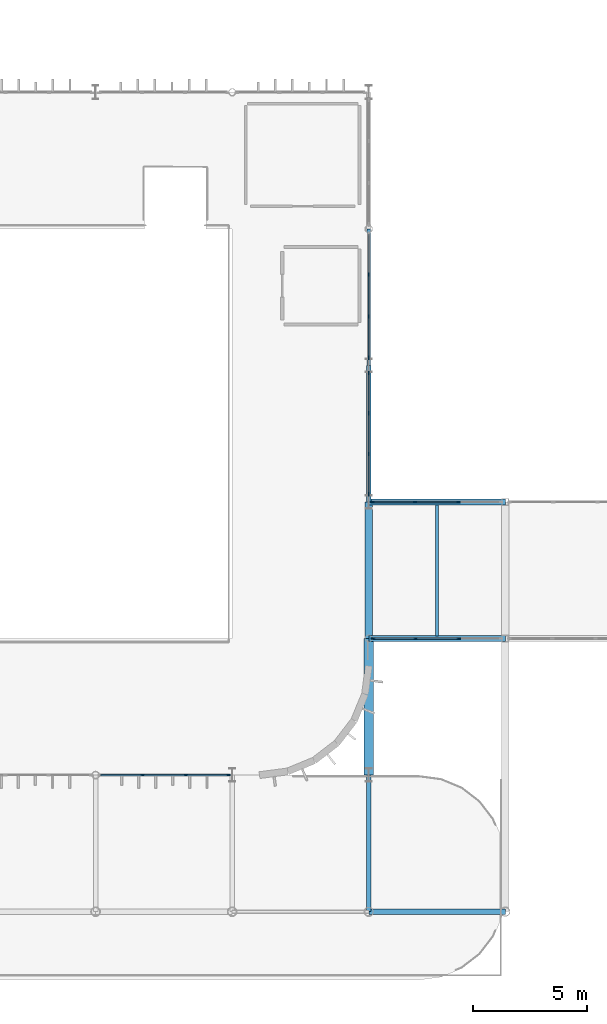
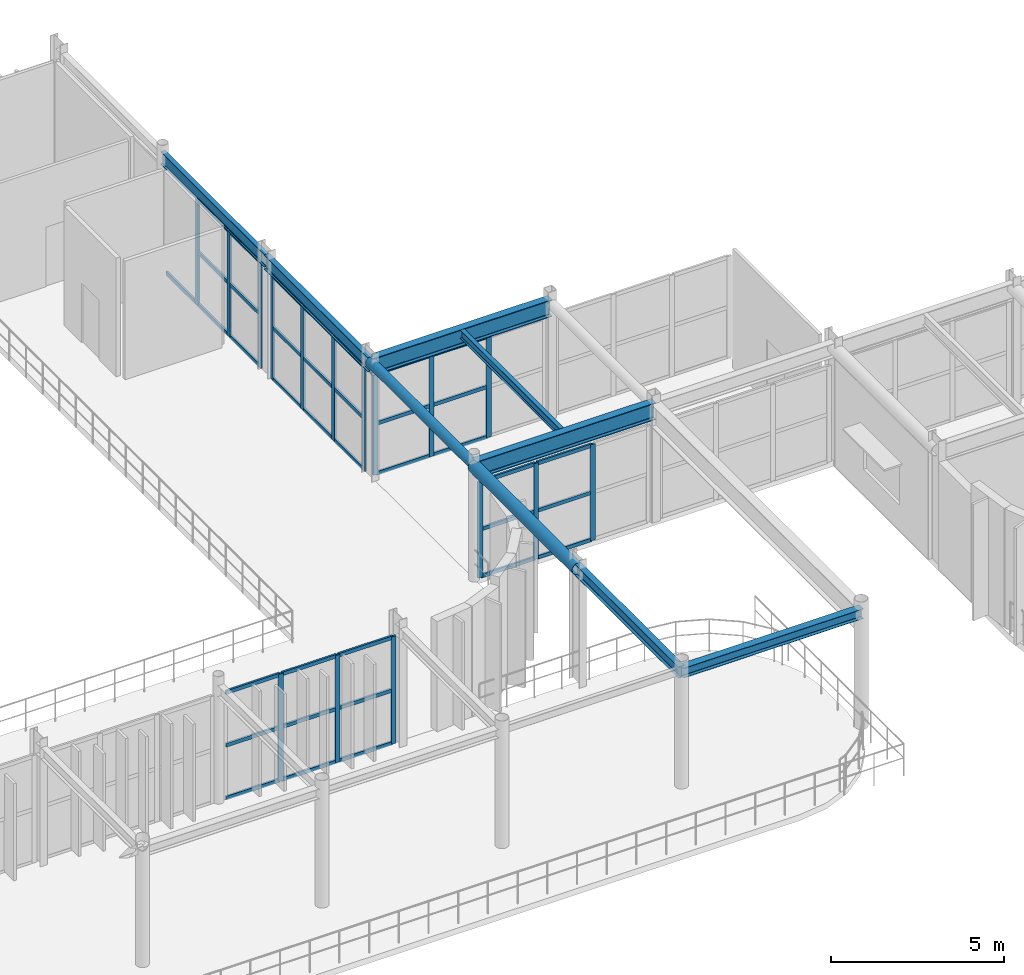
# One storey, part 36 of 96: 53 members, 9 beams, 5 elements without a shape of their own.
"""IFC4 building model written with IfcOpenShell, lengths in metres."""

from ifc_helpers import new_model, si_unit, direction, frame, origin, origin_2d, place, context, subcontext, project, spatial, rectangle, hollow_circle, i_section, extrude, material, material_profile, profile_set, type_object, element, aggregate, save


model = new_model("IFC4")

# Units and contexts
model_context = context("Model", 3, precision=1e-05, world=origin(), true_north=direction((0.0, 1.0)))
body_context = subcontext(model_context, "Body", "Model", "MODEL_VIEW")
ifc_project = project(units=[si_unit("LENGTHUNIT", "METRE"), si_unit("AREAUNIT", "SQUARE_METRE"), si_unit("VOLUMEUNIT", "CUBIC_METRE"), si_unit("PLANEANGLEUNIT", "RADIAN"), si_unit("MASSUNIT", "GRAM", prefix="KILO")], contexts=[model_context])

# Site, building, storey
site_placement = place(None, origin())
site = spatial("IfcSite", under=ifc_project, at=site_placement, CompositionType="ELEMENT")
building_placement = place(site_placement, origin())
building = spatial("IfcBuilding", under=site, at=building_placement, Name="Varnakota Square Police Headquarters", CompositionType="ELEMENT")
storey_placement = place(building_placement, frame((0.0, 0.0, 4.800048828125)))
storey = spatial("IfcBuildingStorey", under=building, at=storey_placement, Name="L01", CompositionType="ELEMENT", Elevation=4.800048828125)

# Beams
ifc_material_1 = material(Name="Steel IS 2062 Grade 350", Category="steel")
ifc_material_profile_1 = material_profile(ifc_material_1, hollow_circle(Radius=0.161865234375, WallThickness=0.0126953125, at=origin_2d()), Name="CHS 323.9x12.7")
ifc_profile_set_1 = profile_set([ifc_material_profile_1], Name="Steel IS 2062 Grade 350")
beam_type_1 = type_object("IfcBeamType", Name="BM-ARC-CHS324", PredefinedType="BEAM", material=ifc_profile_set_1)
beam_1_placement = place(storey_placement, frame((96.0, 15.0, 4.0380859375), z_axis=(0.0, 1.0, 0.0), x_axis=(-1.0, 0.0, 0.0)))
element("IfcBeam", 1, at=beam_1_placement, inside=storey, type_object=beam_type_1, Name="BMG-L01-1670", PredefinedType="BEAM", context=body_context, shape_type="SweptSolid", body=[
    extrude(hollow_circle(Radius=0.161865234375, WallThickness=0.0126953125, at=origin_2d()), origin(), (0.0, 0.0, 1.0), 6.0),
])
ifc_material_profile_2 = material_profile(ifc_material_1, hollow_circle(Radius=0.203125, WallThickness=0.01611328125, at=origin_2d()), Name="CHS 406.4x16.0")
ifc_profile_set_2 = profile_set([ifc_material_profile_2], Name="Steel IS 2062 Grade 350")
beam_type_2 = type_object("IfcBeamType", Name="BM-ARC-CHS406", PredefinedType="BEAM", material=ifc_profile_set_2)
beam_2_placement = place(storey_placement, frame((96.0, 9.0, 3.996826171875), z_axis=(0.0, 1.0, 0.0), x_axis=(-1.0, 0.0, 0.0)))
element("IfcBeam", 2, at=beam_2_placement, inside=storey, type_object=beam_type_2, Name="BMG-L01-1669", PredefinedType="BEAM", context=body_context, shape_type="SweptSolid", body=[
    extrude(hollow_circle(Radius=0.203125, WallThickness=0.01611328125, at=origin_2d()), origin(), (0.0, 0.0, 1.0), 6.0),
])
ifc_material_profile_3 = material_profile(ifc_material_1, i_section(OverallWidth=0.25, OverallDepth=0.35009765625, WebThickness=0.010009765625, FlangeThickness=0.01171875, FilletRadius=0.011962890625, at=origin_2d()), Name="ISHB 350")
ifc_profile_set_3 = profile_set([ifc_material_profile_3], Name="Steel IS 2062 Grade 350")
beam_type_3 = type_object("IfcBeamType", Name="BM-ISHB350", PredefinedType="BEAM", material=ifc_profile_set_3)
beam_3_placement = place(storey_placement, frame((96.0, 3.0, 4.02490234375), z_axis=(1.0, 0.0, 0.0), x_axis=(0.0, 1.0, 0.0)))
element("IfcBeam", 3, at=beam_3_placement, inside=storey, type_object=beam_type_3, Name="BMG-L01-1326", PredefinedType="BEAM", context=body_context, shape_type="SweptSolid", body=[
    extrude(i_section(OverallWidth=0.25, OverallDepth=0.35009765625, WebThickness=0.010009765625, FlangeThickness=0.01171875, FilletRadius=0.011962890625, at=origin_2d()), origin(), (0.0, 0.0, 1.0), 6.0),
])
ifc_material_profile_4 = material_profile(ifc_material_1, i_section(OverallWidth=0.139892578125, OverallDepth=0.300048828125, WebThickness=0.0078125, FlangeThickness=0.01318359375, FilletRadius=0.013916015625, at=origin_2d()), Name="ISMB 300")
ifc_profile_set_4 = profile_set([ifc_material_profile_4], Name="Steel IS 2062 Grade 350")
beam_type_4 = type_object("IfcBeamType", Name="BM-ISMB300", PredefinedType="JOIST", material=ifc_profile_set_4)
beam_4_placement = place(storey_placement, frame((99.0, 15.123046875, 4.050048828125), z_axis=(0.0, 1.0, 0.0), x_axis=(-1.0, 0.0, 0.0)))
element("IfcBeam", 4, at=beam_4_placement, inside=storey, type_object=beam_type_4, Name="BMG-L01-1846", PredefinedType="JOIST", context=body_context, shape_type="SweptSolid", body=[
    extrude(i_section(OverallWidth=0.139892578125, OverallDepth=0.300048828125, WebThickness=0.0078125, FlangeThickness=0.01318359375, FilletRadius=0.013916015625, at=origin_2d()), origin(), (0.0, 0.0, 1.0), 5.75390625),
])
ifc_material_profile_5 = material_profile(ifc_material_1, i_section(OverallWidth=0.14990234375, OverallDepth=0.449951171875, WebThickness=0.009521484375, FlangeThickness=0.017333984375, FilletRadius=0.014892578125, at=origin_2d()), Name="ISMB 450")
ifc_profile_set_5 = profile_set([ifc_material_profile_5], Name="Steel IS 2062 Grade 350")
beam_type_5 = type_object("IfcBeamType", Name="BM-ISMB450", PredefinedType="BEAM", material=ifc_profile_set_5)
beam_5_placement = place(storey_placement, frame((96.0, 27.0, 3.974853515625), z_axis=(0.0, 1.0, 0.0), x_axis=(-1.0, 0.0, 0.0)))
element("IfcBeam", 5, at=beam_5_placement, inside=storey, type_object=beam_type_5, Name="BMG-L01-1672", PredefinedType="BEAM", context=body_context, shape_type="SweptSolid", body=[
    extrude(i_section(OverallWidth=0.14990234375, OverallDepth=0.449951171875, WebThickness=0.009521484375, FlangeThickness=0.017333984375, FilletRadius=0.014892578125, at=origin_2d()), origin(), (0.0, 0.0, 1.0), 6.0),
])
ifc_material_profile_6 = material_profile(ifc_material_1, i_section(OverallWidth=0.179931640625, OverallDepth=0.5, WebThickness=0.01025390625, FlangeThickness=0.01708984375, FilletRadius=0.01708984375, at=origin_2d()), Name="ISMB 500")
ifc_profile_set_6 = profile_set([ifc_material_profile_6], Name="Steel IS 2062 Grade 350")
beam_type_6 = type_object("IfcBeamType", Name="BM-ISMB500", PredefinedType="BEAM", material=ifc_profile_set_6)
beam_6_placement = place(storey_placement, frame((96.0, 21.0, 3.949951171875), z_axis=(0.0, 1.0, 0.0), x_axis=(-1.0, 0.0, 0.0)))
element("IfcBeam", 6, at=beam_6_placement, inside=storey, type_object=beam_type_6, Name="BMG-L01-1671", PredefinedType="BEAM", context=body_context, shape_type="SweptSolid", body=[
    extrude(i_section(OverallWidth=0.179931640625, OverallDepth=0.5, WebThickness=0.01025390625, FlangeThickness=0.01708984375, FilletRadius=0.01708984375, at=origin_2d()), origin(), (0.0, 0.0, 1.0), 6.0),
])
ifc_material_profile_7 = material_profile(ifc_material_1, i_section(OverallWidth=0.199951171875, OverallDepth=0.39990234375, WebThickness=0.008544921875, FlangeThickness=0.012939453125, FilletRadius=0.012939453125, at=origin_2d()), Name="ISWB 400")
ifc_profile_set_7 = profile_set([ifc_material_profile_7], Name="Steel IS 2062 Grade 350")
beam_type_7 = type_object("IfcBeamType", Name="BM-ISWB400", PredefinedType="BEAM", material=ifc_profile_set_7)
beam_7_placement = place(storey_placement, frame((96.0, 3.0, 4.0), z_axis=(0.0, 1.0, 0.0), x_axis=(-1.0, 0.0, 0.0)))
element("IfcBeam", 7, at=beam_7_placement, inside=storey, type_object=beam_type_7, Name="BMG-L01-1668", PredefinedType="BEAM", context=body_context, shape_type="SweptSolid", body=[
    extrude(i_section(OverallWidth=0.199951171875, OverallDepth=0.39990234375, WebThickness=0.008544921875, FlangeThickness=0.012939453125, FilletRadius=0.012939453125, at=origin_2d()), origin(), (0.0, 0.0, 1.0), 6.0),
])
ifc_material_profile_8 = material_profile(ifc_material_1, i_section(OverallWidth=0.25, OverallDepth=0.60009765625, WebThickness=0.01171875, FlangeThickness=0.023681640625, FilletRadius=0.01708984375, at=origin_2d()), Name="ISWB 600")
ifc_profile_set_8 = profile_set([ifc_material_profile_8], Name="Steel IS 2062 Grade 350")
beam_type_8 = type_object("IfcBeamType", Name="BM-ISWB600", PredefinedType="BEAM", material=ifc_profile_set_8)
for number, where, z_axis, x_axis, name in (
    (8, (96.0, 15.0, 3.89990234375), (1.0, 0.0, 0.0), (0.0, 1.0, 0.0), "BMG-L01-1344"),
    (9, (96.0, 21.0, 3.89990234375), (1.0, 0.0, 0.0), (0.0, 1.0, 0.0), "BMG-L01-1360"),
):
    element("IfcBeam", number, at=place(storey_placement, frame(where, z_axis=z_axis, x_axis=x_axis)), inside=storey, type_object=beam_type_8, Name=name, PredefinedType="BEAM", context=body_context, shape_type="SweptSolid", body=[
        extrude(i_section(OverallWidth=0.25, OverallDepth=0.60009765625, WebThickness=0.01171875, FlangeThickness=0.023681640625, FilletRadius=0.01708984375, at=origin_2d()), origin(), (0.0, 0.0, 1.0), 6.0),
    ])

# Curtain wall, members
ifc_material_2 = material(Name="Anodised Aluminium Framing", Category="aluminium")
curtain_wall_type_1 = type_object("IfcCurtainWallType", Name="CW-SYS-B", PredefinedType="NOTDEFINED", material=ifc_material_2)
curtain_wall_1_placement = place(storey_placement, origin())
curtain_wall_1 = element("IfcCurtainWall", 10, at=curtain_wall_1_placement, inside=storey, type_object=curtain_wall_type_1, Name="Unitised curtain wall CWG-L01-020", PredefinedType="NOTDEFINED")
ifc_material_3 = material(Name="Anodised Aluminium 6063-T6", Category="aluminium")
ifc_material_profile_9 = material_profile(ifc_material_3, rectangle(XDim=0.06494140625, YDim=0.159912109375, at=origin_2d()), Name="ALU MULLION 65x160")
ifc_profile_set_9 = profile_set([ifc_material_profile_9], Name="Anodised Aluminium 6063-T6")
member_type_1 = type_object("IfcMemberType", Name="CWM-150", PredefinedType="MULLION", material=ifc_profile_set_9)
member_1_placement = place(storey_placement, frame((86.06787109375, 9.0, 0.0), z_axis=(0.0, 0.0, 1.0), x_axis=(0.0, 1.0, 0.0)))
member_1 = element("IfcMember", 11, at=member_1_placement, type_object=member_type_1, Name="CWG-L01-020 mullion 2", PredefinedType="MULLION", context=body_context, shape_type="SweptSolid", body=[
    extrude(rectangle(XDim=0.06494140625, YDim=0.159912109375, at=origin_2d()), origin(), (0.0, 0.0, 1.0), 3.7900390625),
])
member_2_placement = place(storey_placement, frame((87.968994140625, 9.0, 0.0), z_axis=(0.0, 0.0, 1.0), x_axis=(0.0, 1.0, 0.0)))
member_2 = element("IfcMember", 12, at=member_2_placement, type_object=member_type_1, Name="CWG-L01-020 mullion 3", PredefinedType="MULLION", context=body_context, shape_type="SweptSolid", body=[
    extrude(rectangle(XDim=0.06494140625, YDim=0.159912109375, at=origin_2d()), origin(), (0.0, 0.0, 1.0), 3.7900390625),
])
member_3_placement = place(storey_placement, frame((89.83740234375, 9.0, 0.0), z_axis=(0.0, 0.0, 1.0), x_axis=(0.0, 1.0, 0.0)))
member_3 = element("IfcMember", 13, at=member_3_placement, type_object=member_type_1, Name="CWG-L01-020 mullion 4", PredefinedType="MULLION", context=body_context, shape_type="SweptSolid", body=[
    extrude(rectangle(XDim=0.06494140625, YDim=0.159912109375, at=origin_2d()), origin(), (0.0, 0.0, 1.0), 3.7900390625),
])

curtain_wall_2_placement = place(storey_placement, origin())
curtain_wall_2 = element("IfcCurtainWall", 14, at=curtain_wall_2_placement, inside=storey, type_object=curtain_wall_type_1, Name="Unitised curtain wall CWG-L01-030", PredefinedType="NOTDEFINED")
member_4_placement = place(storey_placement, frame((96.0, 21.33740234375, 0.0), z_axis=(0.0, 0.0, 1.0), x_axis=(-1.0, 0.0, 0.0)))
member_4 = element("IfcMember", 15, at=member_4_placement, type_object=member_type_1, Name="CWG-L01-030 mullion 1", PredefinedType="MULLION", context=body_context, shape_type="SweptSolid", body=[
    extrude(rectangle(XDim=0.06494140625, YDim=0.159912109375, at=origin_2d()), origin(), (0.0, 0.0, 1.0), 3.68994140625),
])
member_5_placement = place(storey_placement, frame((96.0, 23.1015625, 0.0), z_axis=(0.0, 0.0, 1.0), x_axis=(-1.0, 0.0, 0.0)))
member_5 = element("IfcMember", 16, at=member_5_placement, type_object=member_type_1, Name="CWG-L01-030 mullion 2", PredefinedType="MULLION", context=body_context, shape_type="SweptSolid", body=[
    extrude(rectangle(XDim=0.06494140625, YDim=0.159912109375, at=origin_2d()), origin(), (0.0, 0.0, 1.0), 3.68994140625),
])
member_6_placement = place(storey_placement, frame((96.0, 24.8984375, 0.0), z_axis=(0.0, 0.0, 1.0), x_axis=(-1.0, 0.0, 0.0)))
member_6 = element("IfcMember", 17, at=member_6_placement, type_object=member_type_1, Name="CWG-L01-030 mullion 3", PredefinedType="MULLION", context=body_context, shape_type="SweptSolid", body=[
    extrude(rectangle(XDim=0.06494140625, YDim=0.159912109375, at=origin_2d()), origin(), (0.0, 0.0, 1.0), 3.68994140625),
])
member_7_placement = place(storey_placement, frame((96.0, 26.66259765625, 0.0), z_axis=(0.0, 0.0, 1.0), x_axis=(-1.0, 0.0, 0.0)))
member_7 = element("IfcMember", 18, at=member_7_placement, type_object=member_type_1, Name="CWG-L01-030 mullion 4", PredefinedType="MULLION", context=body_context, shape_type="SweptSolid", body=[
    extrude(rectangle(XDim=0.06494140625, YDim=0.159912109375, at=origin_2d()), origin(), (0.0, 0.0, 1.0), 3.68994140625),
])

curtain_wall_3_placement = place(storey_placement, origin())
curtain_wall_3 = element("IfcCurtainWall", 19, at=curtain_wall_3_placement, inside=storey, type_object=curtain_wall_type_1, Name="Unitised curtain wall CWG-L01-032", PredefinedType="NOTDEFINED")
member_8_placement = place(storey_placement, frame((96.0, 27.33740234375, 0.0), z_axis=(0.0, 0.0, 1.0), x_axis=(-1.0, 0.0, 0.0)))
member_8 = element("IfcMember", 20, at=member_8_placement, type_object=member_type_1, Name="CWG-L01-032 mullion 1", PredefinedType="MULLION", context=body_context, shape_type="SweptSolid", body=[
    extrude(rectangle(XDim=0.06494140625, YDim=0.159912109375, at=origin_2d()), origin(), (0.0, 0.0, 1.0), 3.739990234375),
])
member_9_placement = place(storey_placement, frame((96.0, 29.147705078125, 0.0), z_axis=(0.0, 0.0, 1.0), x_axis=(-1.0, 0.0, 0.0)))
member_9 = element("IfcMember", 21, at=member_9_placement, type_object=member_type_1, Name="CWG-L01-032 mullion 2", PredefinedType="MULLION", context=body_context, shape_type="SweptSolid", body=[
    extrude(rectangle(XDim=0.06494140625, YDim=0.159912109375, at=origin_2d()), origin(), (0.0, 0.0, 1.0), 3.739990234375),
])
member_10_placement = place(storey_placement, frame((96.0, 30.990478515625, 0.0), z_axis=(0.0, 0.0, 1.0), x_axis=(-1.0, 0.0, 0.0)))
member_10 = element("IfcMember", 22, at=member_10_placement, type_object=member_type_1, Name="CWG-L01-032 mullion 3", PredefinedType="MULLION", context=body_context, shape_type="SweptSolid", body=[
    extrude(rectangle(XDim=0.06494140625, YDim=0.159912109375, at=origin_2d()), origin(), (0.0, 0.0, 1.0), 3.739990234375),
])

curtain_wall_type_2 = type_object("IfcCurtainWallType", Name="CW-SYS-E", PredefinedType="NOTDEFINED", material=ifc_material_2)
curtain_wall_4_placement = place(storey_placement, origin())
curtain_wall_4 = element("IfcCurtainWall", 23, at=curtain_wall_4_placement, inside=storey, type_object=curtain_wall_type_2, Name="Unitised curtain wall CWG-L01-216", PredefinedType="NOTDEFINED")
member_11_placement = place(storey_placement, frame((96.199462890625, 15.0, 0.0), z_axis=(0.0, 0.0, 1.0), x_axis=(0.0, 1.0, 0.0)))
member_11 = element("IfcMember", 24, at=member_11_placement, type_object=member_type_1, Name="CWG-L01-216 mullion 1", PredefinedType="MULLION", context=body_context, shape_type="SweptSolid", body=[
    extrude(rectangle(XDim=0.06494140625, YDim=0.159912109375, at=origin_2d()), origin(), (0.0, 0.0, 1.0), 3.389892578125),
])
member_12_placement = place(storey_placement, frame((98.0595703125, 15.0, 0.0), z_axis=(0.0, 0.0, 1.0), x_axis=(0.0, 1.0, 0.0)))
member_12 = element("IfcMember", 25, at=member_12_placement, type_object=member_type_1, Name="CWG-L01-216 mullion 2", PredefinedType="MULLION", context=body_context, shape_type="SweptSolid", body=[
    extrude(rectangle(XDim=0.06494140625, YDim=0.159912109375, at=origin_2d()), origin(), (0.0, 0.0, 1.0), 3.389892578125),
])
member_13_placement = place(storey_placement, frame((99.952392578125, 15.0, 0.0), z_axis=(0.0, 0.0, 1.0), x_axis=(0.0, 1.0, 0.0)))
member_13 = element("IfcMember", 26, at=member_13_placement, type_object=member_type_1, Name="CWG-L01-216 mullion 3", PredefinedType="MULLION", context=body_context, shape_type="SweptSolid", body=[
    extrude(rectangle(XDim=0.06494140625, YDim=0.159912109375, at=origin_2d()), origin(), (0.0, 0.0, 1.0), 3.389892578125),
])

curtain_wall_5_placement = place(storey_placement, origin())
curtain_wall_5 = element("IfcCurtainWall", 27, at=curtain_wall_5_placement, inside=storey, type_object=curtain_wall_type_2, Name="Unitised curtain wall CWG-L01-217", PredefinedType="NOTDEFINED")
member_14_placement = place(storey_placement, frame((96.16259765625, 21.0, 0.0), z_axis=(0.0, 0.0, 1.0), x_axis=(0.0, 1.0, 0.0)))
member_14 = element("IfcMember", 28, at=member_14_placement, type_object=member_type_1, Name="CWG-L01-217 mullion 1", PredefinedType="MULLION", context=body_context, shape_type="SweptSolid", body=[
    extrude(rectangle(XDim=0.06494140625, YDim=0.159912109375, at=origin_2d()), origin(), (0.0, 0.0, 1.0), 3.58984375),
])
member_15_placement = place(storey_placement, frame((98.034912109375, 21.0, 0.0), z_axis=(0.0, 0.0, 1.0), x_axis=(0.0, 1.0, 0.0)))
member_15 = element("IfcMember", 29, at=member_15_placement, type_object=member_type_1, Name="CWG-L01-217 mullion 2", PredefinedType="MULLION", context=body_context, shape_type="SweptSolid", body=[
    extrude(rectangle(XDim=0.06494140625, YDim=0.159912109375, at=origin_2d()), origin(), (0.0, 0.0, 1.0), 3.58984375),
])
member_16_placement = place(storey_placement, frame((99.93994140625, 21.0, 0.0), z_axis=(0.0, 0.0, 1.0), x_axis=(0.0, 1.0, 0.0)))
member_16 = element("IfcMember", 30, at=member_16_placement, type_object=member_type_1, Name="CWG-L01-217 mullion 3", PredefinedType="MULLION", context=body_context, shape_type="SweptSolid", body=[
    extrude(rectangle(XDim=0.06494140625, YDim=0.159912109375, at=origin_2d()), origin(), (0.0, 0.0, 1.0), 3.58984375),
])

# Member
ifc_material_profile_10 = material_profile(ifc_material_3, rectangle(XDim=0.06494140625, YDim=0.1298828125, at=origin_2d()), Name="ALU TRANSOM 65x130")
ifc_profile_set_10 = profile_set([ifc_material_profile_10], Name="Anodised Aluminium 6063-T6")
member_type_2 = type_object("IfcMemberType", Name="CWT-120", PredefinedType="USERDEFINED", material=ifc_profile_set_10)
member_17_placement = place(storey_placement, frame((84.23193359375, 9.0, 0.032470703125), z_axis=(1.0, 0.0, 0.0), x_axis=(0.0, 1.0, 0.0)))
member_17 = element("IfcMember", 31, at=member_17_placement, type_object=member_type_2, Name="CWG-L01-020 transom 1.1", ObjectType="TRANSOM", PredefinedType="USERDEFINED", context=body_context, shape_type="SweptSolid", body=[
    extrude(rectangle(XDim=0.06494140625, YDim=0.1298828125, at=origin_2d()), origin(), (0.0, 0.0, 1.0), 1.803466796875),
])

member_18_placement = place(storey_placement, frame((84.23193359375, 9.0, 1.89501953125), z_axis=(1.0, 0.0, 0.0), x_axis=(0.0, 1.0, 0.0)))
member_18 = element("IfcMember", 32, at=member_18_placement, type_object=member_type_2, Name="CWG-L01-020 transom 1.2", ObjectType="TRANSOM", PredefinedType="USERDEFINED", context=body_context, shape_type="SweptSolid", body=[
    extrude(rectangle(XDim=0.06494140625, YDim=0.1298828125, at=origin_2d()), origin(), (0.0, 0.0, 1.0), 1.803466796875),
])

member_19_placement = place(storey_placement, frame((84.23193359375, 9.0, 3.757568359375), z_axis=(1.0, 0.0, 0.0), x_axis=(0.0, 1.0, 0.0)))
member_19 = element("IfcMember", 33, at=member_19_placement, type_object=member_type_2, Name="CWG-L01-020 transom 1.3", ObjectType="TRANSOM", PredefinedType="USERDEFINED", context=body_context, shape_type="SweptSolid", body=[
    extrude(rectangle(XDim=0.06494140625, YDim=0.1298828125, at=origin_2d()), origin(), (0.0, 0.0, 1.0), 1.803466796875),
])

member_20_placement = place(storey_placement, frame((86.100341796875, 9.0, 0.032470703125), z_axis=(1.0, 0.0, 0.0), x_axis=(0.0, 1.0, 0.0)))
member_20 = element("IfcMember", 34, at=member_20_placement, type_object=member_type_2, Name="CWG-L01-020 transom 2.1", ObjectType="TRANSOM", PredefinedType="USERDEFINED", context=body_context, shape_type="SweptSolid", body=[
    extrude(rectangle(XDim=0.06494140625, YDim=0.1298828125, at=origin_2d()), origin(), (0.0, 0.0, 1.0), 1.836181640625),
])

member_21_placement = place(storey_placement, frame((86.100341796875, 9.0, 1.89501953125), z_axis=(1.0, 0.0, 0.0), x_axis=(0.0, 1.0, 0.0)))
member_21 = element("IfcMember", 35, at=member_21_placement, type_object=member_type_2, Name="CWG-L01-020 transom 2.2", ObjectType="TRANSOM", PredefinedType="USERDEFINED", context=body_context, shape_type="SweptSolid", body=[
    extrude(rectangle(XDim=0.06494140625, YDim=0.1298828125, at=origin_2d()), origin(), (0.0, 0.0, 1.0), 1.836181640625),
])

member_22_placement = place(storey_placement, frame((86.100341796875, 9.0, 3.757568359375), z_axis=(1.0, 0.0, 0.0), x_axis=(0.0, 1.0, 0.0)))
member_22 = element("IfcMember", 36, at=member_22_placement, type_object=member_type_2, Name="CWG-L01-020 transom 2.3", ObjectType="TRANSOM", PredefinedType="USERDEFINED", context=body_context, shape_type="SweptSolid", body=[
    extrude(rectangle(XDim=0.06494140625, YDim=0.1298828125, at=origin_2d()), origin(), (0.0, 0.0, 1.0), 1.836181640625),
])

member_23_placement = place(storey_placement, frame((88.00146484375, 9.0, 0.032470703125), z_axis=(1.0, 0.0, 0.0), x_axis=(0.0, 1.0, 0.0)))
member_23 = element("IfcMember", 37, at=member_23_placement, type_object=member_type_2, Name="CWG-L01-020 transom 3.1", ObjectType="TRANSOM", PredefinedType="USERDEFINED", context=body_context, shape_type="SweptSolid", body=[
    extrude(rectangle(XDim=0.06494140625, YDim=0.1298828125, at=origin_2d()), origin(), (0.0, 0.0, 1.0), 1.803466796875),
])

member_24_placement = place(storey_placement, frame((88.00146484375, 9.0, 1.89501953125), z_axis=(1.0, 0.0, 0.0), x_axis=(0.0, 1.0, 0.0)))
member_24 = element("IfcMember", 38, at=member_24_placement, type_object=member_type_2, Name="CWG-L01-020 transom 3.2", ObjectType="TRANSOM", PredefinedType="USERDEFINED", context=body_context, shape_type="SweptSolid", body=[
    extrude(rectangle(XDim=0.06494140625, YDim=0.1298828125, at=origin_2d()), origin(), (0.0, 0.0, 1.0), 1.803466796875),
])

member_25_placement = place(storey_placement, frame((88.00146484375, 9.0, 3.757568359375), z_axis=(1.0, 0.0, 0.0), x_axis=(0.0, 1.0, 0.0)))
member_25 = element("IfcMember", 39, at=member_25_placement, type_object=member_type_2, Name="CWG-L01-020 transom 3.3", ObjectType="TRANSOM", PredefinedType="USERDEFINED", context=body_context, shape_type="SweptSolid", body=[
    extrude(rectangle(XDim=0.06494140625, YDim=0.1298828125, at=origin_2d()), origin(), (0.0, 0.0, 1.0), 1.803466796875),
])

aggregate(curtain_wall_1, [member_1, member_2, member_3, member_17, member_18, member_19, member_20, member_21, member_22, member_23, member_24, member_25])

member_26_placement = place(storey_placement, frame((96.0, 21.3701171875, 0.032470703125), z_axis=(0.0, 1.0, 0.0), x_axis=(-1.0, 0.0, 0.0)))
member_26 = element("IfcMember", 40, at=member_26_placement, type_object=member_type_2, Name="CWG-L01-030 transom 1.1", ObjectType="TRANSOM", PredefinedType="USERDEFINED", context=body_context, shape_type="SweptSolid", body=[
    extrude(rectangle(XDim=0.06494140625, YDim=0.1298828125, at=origin_2d()), origin(), (0.0, 0.0, 1.0), 1.698974609375),
])

member_27_placement = place(storey_placement, frame((96.0, 21.3701171875, 1.844970703125), z_axis=(0.0, 1.0, 0.0), x_axis=(-1.0, 0.0, 0.0)))
member_27 = element("IfcMember", 41, at=member_27_placement, type_object=member_type_2, Name="CWG-L01-030 transom 1.2", ObjectType="TRANSOM", PredefinedType="USERDEFINED", context=body_context, shape_type="SweptSolid", body=[
    extrude(rectangle(XDim=0.06494140625, YDim=0.1298828125, at=origin_2d()), origin(), (0.0, 0.0, 1.0), 1.698974609375),
])

member_28_placement = place(storey_placement, frame((96.0, 21.3701171875, 3.657470703125), z_axis=(0.0, 1.0, 0.0), x_axis=(-1.0, 0.0, 0.0)))
member_28 = element("IfcMember", 42, at=member_28_placement, type_object=member_type_2, Name="CWG-L01-030 transom 1.3", ObjectType="TRANSOM", PredefinedType="USERDEFINED", context=body_context, shape_type="SweptSolid", body=[
    extrude(rectangle(XDim=0.06494140625, YDim=0.1298828125, at=origin_2d()), origin(), (0.0, 0.0, 1.0), 1.698974609375),
])

member_29_placement = place(storey_placement, frame((96.0, 23.13427734375, 0.032470703125), z_axis=(0.0, 1.0, 0.0), x_axis=(-1.0, 0.0, 0.0)))
member_29 = element("IfcMember", 43, at=member_29_placement, type_object=member_type_2, Name="CWG-L01-030 transom 2.1", ObjectType="TRANSOM", PredefinedType="USERDEFINED", context=body_context, shape_type="SweptSolid", body=[
    extrude(rectangle(XDim=0.06494140625, YDim=0.1298828125, at=origin_2d()), origin(), (0.0, 0.0, 1.0), 1.7314453125),
])

member_30_placement = place(storey_placement, frame((96.0, 23.13427734375, 1.844970703125), z_axis=(0.0, 1.0, 0.0), x_axis=(-1.0, 0.0, 0.0)))
member_30 = element("IfcMember", 44, at=member_30_placement, type_object=member_type_2, Name="CWG-L01-030 transom 2.2", ObjectType="TRANSOM", PredefinedType="USERDEFINED", context=body_context, shape_type="SweptSolid", body=[
    extrude(rectangle(XDim=0.06494140625, YDim=0.1298828125, at=origin_2d()), origin(), (0.0, 0.0, 1.0), 1.7314453125),
])

member_31_placement = place(storey_placement, frame((96.0, 23.13427734375, 3.657470703125), z_axis=(0.0, 1.0, 0.0), x_axis=(-1.0, 0.0, 0.0)))
member_31 = element("IfcMember", 45, at=member_31_placement, type_object=member_type_2, Name="CWG-L01-030 transom 2.3", ObjectType="TRANSOM", PredefinedType="USERDEFINED", context=body_context, shape_type="SweptSolid", body=[
    extrude(rectangle(XDim=0.06494140625, YDim=0.1298828125, at=origin_2d()), origin(), (0.0, 0.0, 1.0), 1.7314453125),
])

member_32_placement = place(storey_placement, frame((96.0, 24.930908203125, 0.032470703125), z_axis=(0.0, 1.0, 0.0), x_axis=(-1.0, 0.0, 0.0)))
member_32 = element("IfcMember", 46, at=member_32_placement, type_object=member_type_2, Name="CWG-L01-030 transom 3.1", ObjectType="TRANSOM", PredefinedType="USERDEFINED", context=body_context, shape_type="SweptSolid", body=[
    extrude(rectangle(XDim=0.06494140625, YDim=0.1298828125, at=origin_2d()), origin(), (0.0, 0.0, 1.0), 1.698974609375),
])

member_33_placement = place(storey_placement, frame((96.0, 24.930908203125, 1.844970703125), z_axis=(0.0, 1.0, 0.0), x_axis=(-1.0, 0.0, 0.0)))
member_33 = element("IfcMember", 47, at=member_33_placement, type_object=member_type_2, Name="CWG-L01-030 transom 3.2", ObjectType="TRANSOM", PredefinedType="USERDEFINED", context=body_context, shape_type="SweptSolid", body=[
    extrude(rectangle(XDim=0.06494140625, YDim=0.1298828125, at=origin_2d()), origin(), (0.0, 0.0, 1.0), 1.698974609375),
])

member_34_placement = place(storey_placement, frame((96.0, 24.930908203125, 3.657470703125), z_axis=(0.0, 1.0, 0.0), x_axis=(-1.0, 0.0, 0.0)))
member_34 = element("IfcMember", 48, at=member_34_placement, type_object=member_type_2, Name="CWG-L01-030 transom 3.3", ObjectType="TRANSOM", PredefinedType="USERDEFINED", context=body_context, shape_type="SweptSolid", body=[
    extrude(rectangle(XDim=0.06494140625, YDim=0.1298828125, at=origin_2d()), origin(), (0.0, 0.0, 1.0), 1.698974609375),
])

aggregate(curtain_wall_2, [member_4, member_5, member_6, member_7, member_26, member_27, member_28, member_29, member_30, member_31, member_32, member_33, member_34])

member_35_placement = place(storey_placement, frame((96.0, 27.3701171875, 0.032470703125), z_axis=(0.0, 1.0, 0.0), x_axis=(-1.0, 0.0, 0.0)))
member_35 = element("IfcMember", 49, at=member_35_placement, type_object=member_type_2, Name="CWG-L01-032 transom 1.1", ObjectType="TRANSOM", PredefinedType="USERDEFINED", context=body_context, shape_type="SweptSolid", body=[
    extrude(rectangle(XDim=0.06494140625, YDim=0.1298828125, at=origin_2d()), origin(), (0.0, 0.0, 1.0), 1.7451171875),
])

member_36_placement = place(storey_placement, frame((96.0, 27.3701171875, 1.869873046875), z_axis=(0.0, 1.0, 0.0), x_axis=(-1.0, 0.0, 0.0)))
member_36 = element("IfcMember", 50, at=member_36_placement, type_object=member_type_2, Name="CWG-L01-032 transom 1.2", ObjectType="TRANSOM", PredefinedType="USERDEFINED", context=body_context, shape_type="SweptSolid", body=[
    extrude(rectangle(XDim=0.06494140625, YDim=0.1298828125, at=origin_2d()), origin(), (0.0, 0.0, 1.0), 1.7451171875),
])

member_37_placement = place(storey_placement, frame((96.0, 27.3701171875, 3.70751953125), z_axis=(0.0, 1.0, 0.0), x_axis=(-1.0, 0.0, 0.0)))
member_37 = element("IfcMember", 51, at=member_37_placement, type_object=member_type_2, Name="CWG-L01-032 transom 1.3", ObjectType="TRANSOM", PredefinedType="USERDEFINED", context=body_context, shape_type="SweptSolid", body=[
    extrude(rectangle(XDim=0.06494140625, YDim=0.1298828125, at=origin_2d()), origin(), (0.0, 0.0, 1.0), 1.7451171875),
])

member_38_placement = place(storey_placement, frame((96.0, 29.18017578125, 0.032470703125), z_axis=(0.0, 1.0, 0.0), x_axis=(-1.0, 0.0, 0.0)))
member_38 = element("IfcMember", 52, at=member_38_placement, type_object=member_type_2, Name="CWG-L01-032 transom 2.1", ObjectType="TRANSOM", PredefinedType="USERDEFINED", context=body_context, shape_type="SweptSolid", body=[
    extrude(rectangle(XDim=0.06494140625, YDim=0.1298828125, at=origin_2d()), origin(), (0.0, 0.0, 1.0), 1.77783203125),
])

member_39_placement = place(storey_placement, frame((96.0, 29.18017578125, 1.869873046875), z_axis=(0.0, 1.0, 0.0), x_axis=(-1.0, 0.0, 0.0)))
member_39 = element("IfcMember", 53, at=member_39_placement, type_object=member_type_2, Name="CWG-L01-032 transom 2.2", ObjectType="TRANSOM", PredefinedType="USERDEFINED", context=body_context, shape_type="SweptSolid", body=[
    extrude(rectangle(XDim=0.06494140625, YDim=0.1298828125, at=origin_2d()), origin(), (0.0, 0.0, 1.0), 1.77783203125),
])

member_40_placement = place(storey_placement, frame((96.0, 29.18017578125, 3.70751953125), z_axis=(0.0, 1.0, 0.0), x_axis=(-1.0, 0.0, 0.0)))
member_40 = element("IfcMember", 54, at=member_40_placement, type_object=member_type_2, Name="CWG-L01-032 transom 2.3", ObjectType="TRANSOM", PredefinedType="USERDEFINED", context=body_context, shape_type="SweptSolid", body=[
    extrude(rectangle(XDim=0.06494140625, YDim=0.1298828125, at=origin_2d()), origin(), (0.0, 0.0, 1.0), 1.77783203125),
])

member_41_placement = place(storey_placement, frame((96.0, 31.02294921875, 0.032470703125), z_axis=(0.0, 1.0, 0.0), x_axis=(-1.0, 0.0, 0.0)))
member_41 = element("IfcMember", 55, at=member_41_placement, type_object=member_type_2, Name="CWG-L01-032 transom 3.1", ObjectType="TRANSOM", PredefinedType="USERDEFINED", context=body_context, shape_type="SweptSolid", body=[
    extrude(rectangle(XDim=0.06494140625, YDim=0.1298828125, at=origin_2d()), origin(), (0.0, 0.0, 1.0), 1.7451171875),
])

aggregate(curtain_wall_3, [member_8, member_9, member_10, member_35, member_36, member_37, member_38, member_39, member_40, member_41])

member_42_placement = place(storey_placement, frame((96.23193359375, 15.0, 0.032470703125), z_axis=(1.0, 0.0, 0.0), x_axis=(0.0, 1.0, 0.0)))
member_42 = element("IfcMember", 56, at=member_42_placement, type_object=member_type_2, Name="CWG-L01-216 transom 1.1", ObjectType="TRANSOM", PredefinedType="USERDEFINED", context=body_context, shape_type="SweptSolid", body=[
    extrude(rectangle(XDim=0.06494140625, YDim=0.1298828125, at=origin_2d()), origin(), (0.0, 0.0, 1.0), 1.795166015625),
])

member_43_placement = place(storey_placement, frame((96.23193359375, 15.0, 1.695068359375), z_axis=(1.0, 0.0, 0.0), x_axis=(0.0, 1.0, 0.0)))
member_43 = element("IfcMember", 57, at=member_43_placement, type_object=member_type_2, Name="CWG-L01-216 transom 1.2", ObjectType="TRANSOM", PredefinedType="USERDEFINED", context=body_context, shape_type="SweptSolid", body=[
    extrude(rectangle(XDim=0.06494140625, YDim=0.1298828125, at=origin_2d()), origin(), (0.0, 0.0, 1.0), 1.795166015625),
])

member_44_placement = place(storey_placement, frame((96.23193359375, 15.0, 3.357421875), z_axis=(1.0, 0.0, 0.0), x_axis=(0.0, 1.0, 0.0)))
member_44 = element("IfcMember", 58, at=member_44_placement, type_object=member_type_2, Name="CWG-L01-216 transom 1.3", ObjectType="TRANSOM", PredefinedType="USERDEFINED", context=body_context, shape_type="SweptSolid", body=[
    extrude(rectangle(XDim=0.06494140625, YDim=0.1298828125, at=origin_2d()), origin(), (0.0, 0.0, 1.0), 1.795166015625),
])

member_45_placement = place(storey_placement, frame((98.092041015625, 15.0, 0.032470703125), z_axis=(1.0, 0.0, 0.0), x_axis=(0.0, 1.0, 0.0)))
member_45 = element("IfcMember", 59, at=member_45_placement, type_object=member_type_2, Name="CWG-L01-216 transom 2.1", ObjectType="TRANSOM", PredefinedType="USERDEFINED", context=body_context, shape_type="SweptSolid", body=[
    extrude(rectangle(XDim=0.06494140625, YDim=0.1298828125, at=origin_2d()), origin(), (0.0, 0.0, 1.0), 1.827880859375),
])

member_46_placement = place(storey_placement, frame((98.092041015625, 15.0, 1.695068359375), z_axis=(1.0, 0.0, 0.0), x_axis=(0.0, 1.0, 0.0)))
member_46 = element("IfcMember", 60, at=member_46_placement, type_object=member_type_2, Name="CWG-L01-216 transom 2.2", ObjectType="TRANSOM", PredefinedType="USERDEFINED", context=body_context, shape_type="SweptSolid", body=[
    extrude(rectangle(XDim=0.06494140625, YDim=0.1298828125, at=origin_2d()), origin(), (0.0, 0.0, 1.0), 1.827880859375),
])

member_47_placement = place(storey_placement, frame((98.092041015625, 15.0, 3.357421875), z_axis=(1.0, 0.0, 0.0), x_axis=(0.0, 1.0, 0.0)))
member_47 = element("IfcMember", 61, at=member_47_placement, type_object=member_type_2, Name="CWG-L01-216 transom 2.3", ObjectType="TRANSOM", PredefinedType="USERDEFINED", context=body_context, shape_type="SweptSolid", body=[
    extrude(rectangle(XDim=0.06494140625, YDim=0.1298828125, at=origin_2d()), origin(), (0.0, 0.0, 1.0), 1.827880859375),
])

aggregate(curtain_wall_4, [member_11, member_12, member_13, member_42, member_43, member_44, member_45, member_46, member_47])

member_48_placement = place(storey_placement, frame((96.195068359375, 21.0, 0.032470703125), z_axis=(1.0, 0.0, 0.0), x_axis=(0.0, 1.0, 0.0)))
member_48 = element("IfcMember", 62, at=member_48_placement, type_object=member_type_2, Name="CWG-L01-217 transom 1.1", ObjectType="TRANSOM", PredefinedType="USERDEFINED", context=body_context, shape_type="SweptSolid", body=[
    extrude(rectangle(XDim=0.06494140625, YDim=0.1298828125, at=origin_2d()), origin(), (0.0, 0.0, 1.0), 1.807373046875),
])

member_49_placement = place(storey_placement, frame((96.195068359375, 21.0, 1.794921875), z_axis=(1.0, 0.0, 0.0), x_axis=(0.0, 1.0, 0.0)))
member_49 = element("IfcMember", 63, at=member_49_placement, type_object=member_type_2, Name="CWG-L01-217 transom 1.2", ObjectType="TRANSOM", PredefinedType="USERDEFINED", context=body_context, shape_type="SweptSolid", body=[
    extrude(rectangle(XDim=0.06494140625, YDim=0.1298828125, at=origin_2d()), origin(), (0.0, 0.0, 1.0), 1.807373046875),
])

member_50_placement = place(storey_placement, frame((96.195068359375, 21.0, 3.557373046875), z_axis=(1.0, 0.0, 0.0), x_axis=(0.0, 1.0, 0.0)))
member_50 = element("IfcMember", 64, at=member_50_placement, type_object=member_type_2, Name="CWG-L01-217 transom 1.3", ObjectType="TRANSOM", PredefinedType="USERDEFINED", context=body_context, shape_type="SweptSolid", body=[
    extrude(rectangle(XDim=0.06494140625, YDim=0.1298828125, at=origin_2d()), origin(), (0.0, 0.0, 1.0), 1.807373046875),
])

member_51_placement = place(storey_placement, frame((98.0673828125, 21.0, 0.032470703125), z_axis=(1.0, 0.0, 0.0), x_axis=(0.0, 1.0, 0.0)))
member_51 = element("IfcMember", 65, at=member_51_placement, type_object=member_type_2, Name="CWG-L01-217 transom 2.1", ObjectType="TRANSOM", PredefinedType="USERDEFINED", context=body_context, shape_type="SweptSolid", body=[
    extrude(rectangle(XDim=0.06494140625, YDim=0.1298828125, at=origin_2d()), origin(), (0.0, 0.0, 1.0), 1.840087890625),
])

member_52_placement = place(storey_placement, frame((98.0673828125, 21.0, 1.794921875), z_axis=(1.0, 0.0, 0.0), x_axis=(0.0, 1.0, 0.0)))
member_52 = element("IfcMember", 66, at=member_52_placement, type_object=member_type_2, Name="CWG-L01-217 transom 2.2", ObjectType="TRANSOM", PredefinedType="USERDEFINED", context=body_context, shape_type="SweptSolid", body=[
    extrude(rectangle(XDim=0.06494140625, YDim=0.1298828125, at=origin_2d()), origin(), (0.0, 0.0, 1.0), 1.840087890625),
])

member_53_placement = place(storey_placement, frame((98.0673828125, 21.0, 3.557373046875), z_axis=(1.0, 0.0, 0.0), x_axis=(0.0, 1.0, 0.0)))
member_53 = element("IfcMember", 67, at=member_53_placement, type_object=member_type_2, Name="CWG-L01-217 transom 2.3", ObjectType="TRANSOM", PredefinedType="USERDEFINED", context=body_context, shape_type="SweptSolid", body=[
    extrude(rectangle(XDim=0.06494140625, YDim=0.1298828125, at=origin_2d()), origin(), (0.0, 0.0, 1.0), 1.840087890625),
])

aggregate(curtain_wall_5, [member_14, member_15, member_16, member_48, member_49, member_50, member_51, member_52, member_53])

save(model, "model.ifc")
